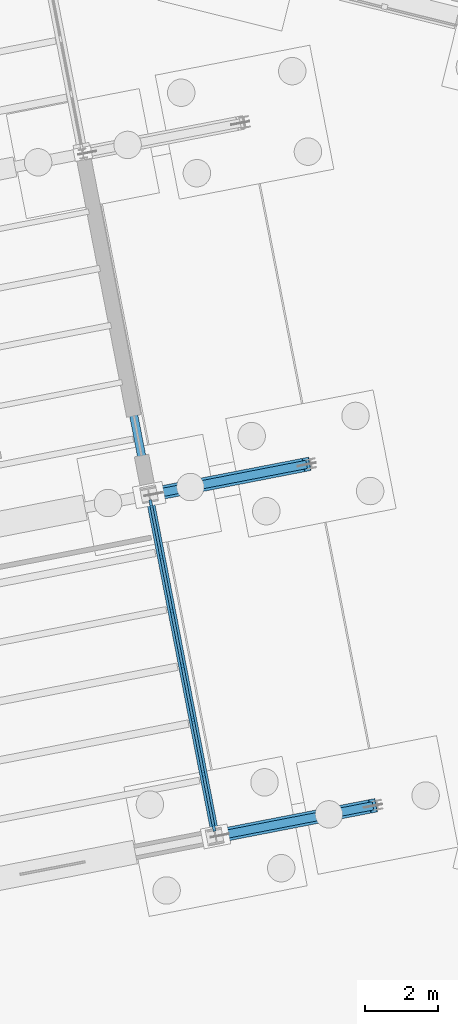
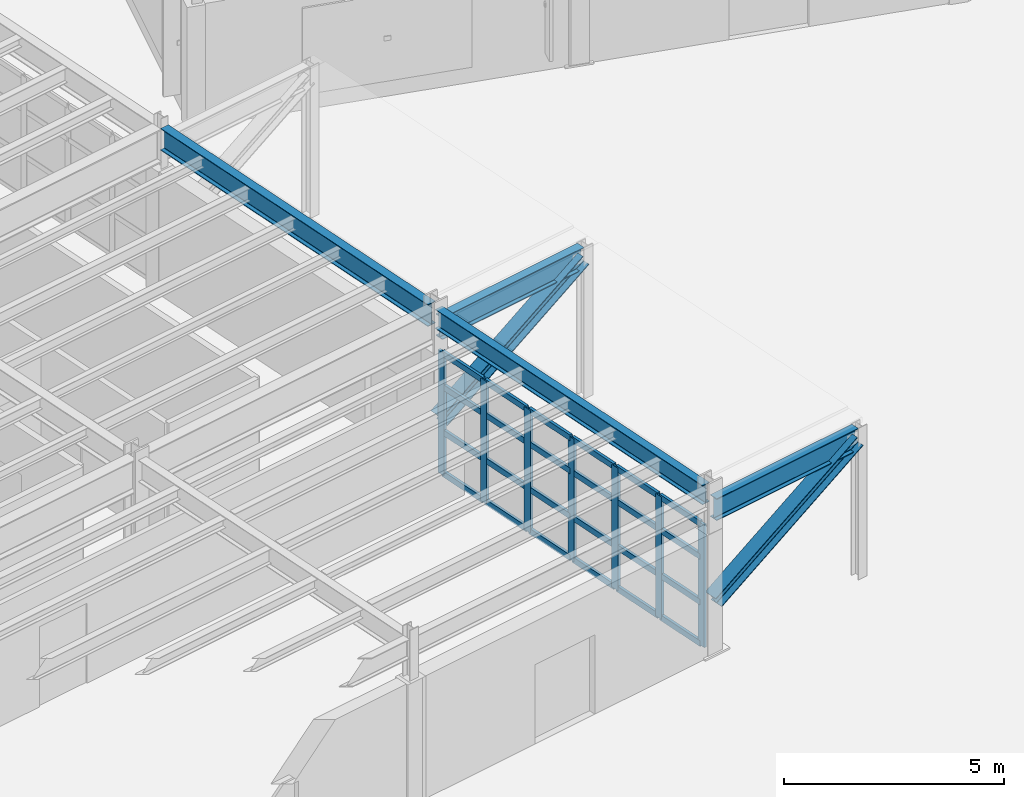
# One storey, part 35 of 108: 33 members, 4 beams, 1 element without a shape of its own.
"""IFC4 building model written with IfcOpenShell, lengths in metres."""

from ifc_helpers import new_model, si_unit, direction, frame, origin, origin_2d, place, context, subcontext, project, spatial, rectangle, i_section, extrude, material, layer, layer_set, material_profile, profile_set, type_object, element, aggregate, save


model = new_model("IFC4")

# Units and contexts
model_context = context("Model", 3, precision=1e-05, world=origin(), true_north=direction((0.0, 1.0)))
body_context = subcontext(model_context, "Body", "Model", "MODEL_VIEW")
ifc_project = project(units=[si_unit("LENGTHUNIT", "METRE"), si_unit("AREAUNIT", "SQUARE_METRE"), si_unit("VOLUMEUNIT", "CUBIC_METRE"), si_unit("PLANEANGLEUNIT", "RADIAN"), si_unit("MASSUNIT", "GRAM", prefix="KILO")], contexts=[model_context])

# Site, building, storey
site_placement = place(None, origin())
site = spatial("IfcSite", under=ifc_project, at=site_placement, CompositionType="ELEMENT")
building_placement = place(site_placement, origin())
building = spatial("IfcBuilding", under=site, at=building_placement, Name="Vireo Bluff Cable Station", CompositionType="ELEMENT")
storey_placement = place(building_placement, origin())
storey = spatial("IfcBuildingStorey", under=building, at=storey_placement, Name="L00", CompositionType="ELEMENT", Elevation=0.0)

# Curtain wall, members
ifc_material_1 = material(Name="Anodized Aluminium 6063-T6", Category="aluminium")
ifc_layer = layer(ifc_material_1, 0.179931640625, Name="Anodized Aluminium 6063-T6")
ifc_layer_set = layer_set([ifc_layer], Name="Anodized Aluminium 6063-T6")
curtain_wall_type = type_object("IfcCurtainWallType", Name="CW-UNIT-1400", PredefinedType="USERDEFINED", material=ifc_layer_set)
curtain_wall_placement = place(storey_placement, origin())
curtain_wall = element("IfcCurtainWall", 1, at=curtain_wall_placement, inside=storey, type_object=curtain_wall_type, Name="V5 L00 east curtain wall CW-117", ObjectType="UNITISED CURTAIN WALL", PredefinedType="USERDEFINED")
ifc_material_profile_1 = material_profile(ifc_material_1, rectangle(XDim=0.074951171875, YDim=0.2099609375, at=origin_2d()), Name="ALU-M-75X210")
ifc_profile_set_1 = profile_set([ifc_material_profile_1], Name="Anodized Aluminium 6063-T6")
member_type_1 = type_object("IfcMemberType", Name="CWM-02", PredefinedType="MULLION", material=ifc_profile_set_1)
member_1_placement = place(storey_placement, frame((51.90625, 23.17724609375, 0.0), z_axis=(0.0, 0.0, 1.0), x_axis=(0.981627187168, 0.190808976239, 0.0)))
member_1 = element("IfcMember", 2, at=member_1_placement, type_object=member_type_1, Name="CW-117 mullion 1", PredefinedType="MULLION", context=body_context, shape_type="SweptSolid", body=[
    extrude(rectangle(XDim=0.074951171875, YDim=0.2099609375, at=origin_2d()), origin(), (0.0, 0.0, 1.0), 3.39990234375),
])
member_2_placement = place(storey_placement, frame((52.18798828125, 21.727294921875, 0.0), z_axis=(0.0, 0.0, 1.0), x_axis=(0.981627187168, 0.190808976239, 0.0)))
member_2 = element("IfcMember", 3, at=member_2_placement, type_object=member_type_1, Name="CW-117 mullion 2", PredefinedType="MULLION", context=body_context, shape_type="SweptSolid", body=[
    extrude(rectangle(XDim=0.074951171875, YDim=0.2099609375, at=origin_2d()), origin(), (0.0, 0.0, 1.0), 3.39990234375),
])
member_3_placement = place(storey_placement, frame((52.47705078125, 20.240478515625, 0.0), z_axis=(0.0, 0.0, 1.0), x_axis=(0.981627187168, 0.190808976239, 0.0)))
member_3 = element("IfcMember", 4, at=member_3_placement, type_object=member_type_1, Name="CW-117 mullion 3", PredefinedType="MULLION", context=body_context, shape_type="SweptSolid", body=[
    extrude(rectangle(XDim=0.074951171875, YDim=0.2099609375, at=origin_2d()), origin(), (0.0, 0.0, 1.0), 3.39990234375),
])
member_4_placement = place(storey_placement, frame((52.76611328125, 18.753662109375, 0.0), z_axis=(0.0, 0.0, 1.0), x_axis=(0.981627187168, 0.190808976239, 0.0)))
member_4 = element("IfcMember", 5, at=member_4_placement, type_object=member_type_1, Name="CW-117 mullion 4", PredefinedType="MULLION", context=body_context, shape_type="SweptSolid", body=[
    extrude(rectangle(XDim=0.074951171875, YDim=0.2099609375, at=origin_2d()), origin(), (0.0, 0.0, 1.0), 3.39990234375),
])
member_5_placement = place(storey_placement, frame((53.054931640625, 17.2666015625, 0.0), z_axis=(0.0, 0.0, 1.0), x_axis=(0.981627187168, 0.190808976239, 0.0)))
member_5 = element("IfcMember", 6, at=member_5_placement, type_object=member_type_1, Name="CW-117 mullion 5", PredefinedType="MULLION", context=body_context, shape_type="SweptSolid", body=[
    extrude(rectangle(XDim=0.074951171875, YDim=0.2099609375, at=origin_2d()), origin(), (0.0, 0.0, 1.0), 3.39990234375),
])
member_6_placement = place(storey_placement, frame((53.343994140625, 15.77978515625, 0.0), z_axis=(0.0, 0.0, 1.0), x_axis=(0.981627187168, 0.190808976239, 0.0)))
member_6 = element("IfcMember", 7, at=member_6_placement, type_object=member_type_1, Name="CW-117 mullion 6", PredefinedType="MULLION", context=body_context, shape_type="SweptSolid", body=[
    extrude(rectangle(XDim=0.074951171875, YDim=0.2099609375, at=origin_2d()), origin(), (0.0, 0.0, 1.0), 3.39990234375),
])
member_7_placement = place(storey_placement, frame((53.6259765625, 14.329833984375, 0.0), z_axis=(0.0, 0.0, 1.0), x_axis=(0.981627187168, 0.190808976239, 0.0)))
member_7 = element("IfcMember", 8, at=member_7_placement, type_object=member_type_1, Name="CW-117 mullion 7", PredefinedType="MULLION", context=body_context, shape_type="SweptSolid", body=[
    extrude(rectangle(XDim=0.074951171875, YDim=0.2099609375, at=origin_2d()), origin(), (0.0, 0.0, 1.0), 3.39990234375),
])
ifc_material_profile_2 = material_profile(ifc_material_1, rectangle(XDim=0.074951171875, YDim=0.159912109375, at=origin_2d()), Name="ALU-T-75X160")
ifc_profile_set_2 = profile_set([ifc_material_profile_2], Name="Anodized Aluminium 6063-T6")
member_type_2 = type_object("IfcMemberType", Name="CWT-02", PredefinedType="USERDEFINED", material=ifc_profile_set_2)
member_8_placement = place(storey_placement, frame((51.913330078125, 23.140380859375, 0.03759765625), z_axis=(0.190823057321, -0.981624449978, 0.0), x_axis=(0.981624449978, 0.190823057321, 0.0)))
member_8 = element("IfcMember", 9, at=member_8_placement, type_object=member_type_2, Name="CW-117 transom 1.1", ObjectType="TRANSOM", PredefinedType="USERDEFINED", context=body_context, shape_type="SweptSolid", body=[
    extrude(rectangle(XDim=0.074951171875, YDim=0.159912109375, at=origin_2d()), origin(), (0.0, 0.0, 1.0), 1.40234375),
])
member_9_placement = place(storey_placement, frame((51.913330078125, 23.140380859375, 1.18994140625), z_axis=(0.190823057321, -0.981624449978, 0.0), x_axis=(0.981624449978, 0.190823057321, 0.0)))
member_9 = element("IfcMember", 10, at=member_9_placement, type_object=member_type_2, Name="CW-117 transom 1.2", ObjectType="TRANSOM", PredefinedType="USERDEFINED", context=body_context, shape_type="SweptSolid", body=[
    extrude(rectangle(XDim=0.074951171875, YDim=0.159912109375, at=origin_2d()), origin(), (0.0, 0.0, 1.0), 1.40234375),
])
member_10_placement = place(storey_placement, frame((51.913330078125, 23.140380859375, 2.447998046875), z_axis=(0.190823057321, -0.981624449978, 0.0), x_axis=(0.981624449978, 0.190823057321, 0.0)))
member_10 = element("IfcMember", 11, at=member_10_placement, type_object=member_type_2, Name="CW-117 transom 1.3", ObjectType="TRANSOM", PredefinedType="USERDEFINED", context=body_context, shape_type="SweptSolid", body=[
    extrude(rectangle(XDim=0.074951171875, YDim=0.159912109375, at=origin_2d()), origin(), (0.0, 0.0, 1.0), 1.40234375),
])
member_11_placement = place(storey_placement, frame((51.913330078125, 23.140380859375, 3.362548828125), z_axis=(0.190823057321, -0.981624449978, 0.0), x_axis=(0.981624449978, 0.190823057321, 0.0)))
member_11 = element("IfcMember", 12, at=member_11_placement, type_object=member_type_2, Name="CW-117 transom 1.4", ObjectType="TRANSOM", PredefinedType="USERDEFINED", context=body_context, shape_type="SweptSolid", body=[
    extrude(rectangle(XDim=0.074951171875, YDim=0.159912109375, at=origin_2d()), origin(), (0.0, 0.0, 1.0), 1.40234375),
])
member_12_placement = place(storey_placement, frame((52.195068359375, 21.6904296875, 0.03759765625), z_axis=(0.19092865934, -0.98160391556, 0.0), x_axis=(0.98160391556, 0.19092865934, 0.0)))
member_12 = element("IfcMember", 13, at=member_12_placement, type_object=member_type_2, Name="CW-117 transom 2.1", ObjectType="TRANSOM", PredefinedType="USERDEFINED", context=body_context, shape_type="SweptSolid", body=[
    extrude(rectangle(XDim=0.074951171875, YDim=0.159912109375, at=origin_2d()), origin(), (0.0, 0.0, 1.0), 1.439697265625),
])
member_13_placement = place(storey_placement, frame((52.195068359375, 21.6904296875, 1.18994140625), z_axis=(0.19092865934, -0.98160391556, 0.0), x_axis=(0.98160391556, 0.19092865934, 0.0)))
member_13 = element("IfcMember", 14, at=member_13_placement, type_object=member_type_2, Name="CW-117 transom 2.2", ObjectType="TRANSOM", PredefinedType="USERDEFINED", context=body_context, shape_type="SweptSolid", body=[
    extrude(rectangle(XDim=0.074951171875, YDim=0.159912109375, at=origin_2d()), origin(), (0.0, 0.0, 1.0), 1.439697265625),
])
member_14_placement = place(storey_placement, frame((52.195068359375, 21.6904296875, 2.447998046875), z_axis=(0.19092865934, -0.98160391556, 0.0), x_axis=(0.98160391556, 0.19092865934, 0.0)))
member_14 = element("IfcMember", 15, at=member_14_placement, type_object=member_type_2, Name="CW-117 transom 2.3", ObjectType="TRANSOM", PredefinedType="USERDEFINED", context=body_context, shape_type="SweptSolid", body=[
    extrude(rectangle(XDim=0.074951171875, YDim=0.159912109375, at=origin_2d()), origin(), (0.0, 0.0, 1.0), 1.439697265625),
])
member_15_placement = place(storey_placement, frame((52.195068359375, 21.6904296875, 3.362548828125), z_axis=(0.19092865934, -0.98160391556, 0.0), x_axis=(0.98160391556, 0.19092865934, 0.0)))
member_15 = element("IfcMember", 16, at=member_15_placement, type_object=member_type_2, Name="CW-117 transom 2.4", ObjectType="TRANSOM", PredefinedType="USERDEFINED", context=body_context, shape_type="SweptSolid", body=[
    extrude(rectangle(XDim=0.074951171875, YDim=0.159912109375, at=origin_2d()), origin(), (0.0, 0.0, 1.0), 1.439697265625),
])
member_16_placement = place(storey_placement, frame((52.484130859375, 20.20361328125, 0.03759765625), z_axis=(0.190765268998, -0.981635681984, 0.0), x_axis=(0.981635681984, 0.190765268998, 0.0)))
member_16 = element("IfcMember", 17, at=member_16_placement, type_object=member_type_2, Name="CW-117 transom 3.1", ObjectType="TRANSOM", PredefinedType="USERDEFINED", context=body_context, shape_type="SweptSolid", body=[
    extrude(rectangle(XDim=0.074951171875, YDim=0.159912109375, at=origin_2d()), origin(), (0.0, 0.0, 1.0), 1.439697265625),
])
member_17_placement = place(storey_placement, frame((52.484130859375, 20.20361328125, 1.18994140625), z_axis=(0.190765268998, -0.981635681984, 0.0), x_axis=(0.981635681984, 0.190765268998, 0.0)))
member_17 = element("IfcMember", 18, at=member_17_placement, type_object=member_type_2, Name="CW-117 transom 3.2", ObjectType="TRANSOM", PredefinedType="USERDEFINED", context=body_context, shape_type="SweptSolid", body=[
    extrude(rectangle(XDim=0.074951171875, YDim=0.159912109375, at=origin_2d()), origin(), (0.0, 0.0, 1.0), 1.439697265625),
])
member_18_placement = place(storey_placement, frame((52.484130859375, 20.20361328125, 2.447998046875), z_axis=(0.190765268998, -0.981635681984, 0.0), x_axis=(0.981635681984, 0.190765268998, 0.0)))
member_18 = element("IfcMember", 19, at=member_18_placement, type_object=member_type_2, Name="CW-117 transom 3.3", ObjectType="TRANSOM", PredefinedType="USERDEFINED", context=body_context, shape_type="SweptSolid", body=[
    extrude(rectangle(XDim=0.074951171875, YDim=0.159912109375, at=origin_2d()), origin(), (0.0, 0.0, 1.0), 1.439697265625),
])
member_19_placement = place(storey_placement, frame((52.484130859375, 20.20361328125, 3.362548828125), z_axis=(0.190765268998, -0.981635681984, 0.0), x_axis=(0.981635681984, 0.190765268998, 0.0)))
member_19 = element("IfcMember", 20, at=member_19_placement, type_object=member_type_2, Name="CW-117 transom 3.4", ObjectType="TRANSOM", PredefinedType="USERDEFINED", context=body_context, shape_type="SweptSolid", body=[
    extrude(rectangle(XDim=0.074951171875, YDim=0.159912109375, at=origin_2d()), origin(), (0.0, 0.0, 1.0), 1.439697265625),
])
member_20_placement = place(storey_placement, frame((52.773193359375, 18.716796875, 0.03759765625), z_axis=(0.190765268998, -0.981635681984, 0.0), x_axis=(0.981635681984, 0.190765268998, 0.0)))
member_20 = element("IfcMember", 21, at=member_20_placement, type_object=member_type_2, Name="CW-117 transom 4.1", ObjectType="TRANSOM", PredefinedType="USERDEFINED", context=body_context, shape_type="SweptSolid", body=[
    extrude(rectangle(XDim=0.074951171875, YDim=0.159912109375, at=origin_2d()), origin(), (0.0, 0.0, 1.0), 1.439697265625),
])
member_21_placement = place(storey_placement, frame((52.773193359375, 18.716796875, 1.18994140625), z_axis=(0.190765268998, -0.981635681984, 0.0), x_axis=(0.981635681984, 0.190765268998, 0.0)))
member_21 = element("IfcMember", 22, at=member_21_placement, type_object=member_type_2, Name="CW-117 transom 4.2", ObjectType="TRANSOM", PredefinedType="USERDEFINED", context=body_context, shape_type="SweptSolid", body=[
    extrude(rectangle(XDim=0.074951171875, YDim=0.159912109375, at=origin_2d()), origin(), (0.0, 0.0, 1.0), 1.439697265625),
])
member_22_placement = place(storey_placement, frame((52.773193359375, 18.716796875, 2.447998046875), z_axis=(0.190765268998, -0.981635681984, 0.0), x_axis=(0.981635681984, 0.190765268998, 0.0)))
member_22 = element("IfcMember", 23, at=member_22_placement, type_object=member_type_2, Name="CW-117 transom 4.3", ObjectType="TRANSOM", PredefinedType="USERDEFINED", context=body_context, shape_type="SweptSolid", body=[
    extrude(rectangle(XDim=0.074951171875, YDim=0.159912109375, at=origin_2d()), origin(), (0.0, 0.0, 1.0), 1.439697265625),
])
member_23_placement = place(storey_placement, frame((52.773193359375, 18.716796875, 3.362548828125), z_axis=(0.190765268998, -0.981635681984, 0.0), x_axis=(0.981635681984, 0.190765268998, 0.0)))
member_23 = element("IfcMember", 24, at=member_23_placement, type_object=member_type_2, Name="CW-117 transom 4.4", ObjectType="TRANSOM", PredefinedType="USERDEFINED", context=body_context, shape_type="SweptSolid", body=[
    extrude(rectangle(XDim=0.074951171875, YDim=0.159912109375, at=origin_2d()), origin(), (0.0, 0.0, 1.0), 1.439697265625),
])
member_24_placement = place(storey_placement, frame((53.062255859375, 17.22998046875, 0.03759765625), z_axis=(0.190765268998, -0.981635681984, 0.0), x_axis=(0.981635681984, 0.190765268998, 0.0)))
member_24 = element("IfcMember", 25, at=member_24_placement, type_object=member_type_2, Name="CW-117 transom 5.1", ObjectType="TRANSOM", PredefinedType="USERDEFINED", context=body_context, shape_type="SweptSolid", body=[
    extrude(rectangle(XDim=0.074951171875, YDim=0.159912109375, at=origin_2d()), origin(), (0.0, 0.0, 1.0), 1.439697265625),
])
member_25_placement = place(storey_placement, frame((53.062255859375, 17.22998046875, 1.18994140625), z_axis=(0.190765268998, -0.981635681984, 0.0), x_axis=(0.981635681984, 0.190765268998, 0.0)))
member_25 = element("IfcMember", 26, at=member_25_placement, type_object=member_type_2, Name="CW-117 transom 5.2", ObjectType="TRANSOM", PredefinedType="USERDEFINED", context=body_context, shape_type="SweptSolid", body=[
    extrude(rectangle(XDim=0.074951171875, YDim=0.159912109375, at=origin_2d()), origin(), (0.0, 0.0, 1.0), 1.439697265625),
])
member_26_placement = place(storey_placement, frame((53.062255859375, 17.22998046875, 2.447998046875), z_axis=(0.190765268998, -0.981635681984, 0.0), x_axis=(0.981635681984, 0.190765268998, 0.0)))
member_26 = element("IfcMember", 27, at=member_26_placement, type_object=member_type_2, Name="CW-117 transom 5.3", ObjectType="TRANSOM", PredefinedType="USERDEFINED", context=body_context, shape_type="SweptSolid", body=[
    extrude(rectangle(XDim=0.074951171875, YDim=0.159912109375, at=origin_2d()), origin(), (0.0, 0.0, 1.0), 1.439697265625),
])
member_27_placement = place(storey_placement, frame((53.062255859375, 17.22998046875, 3.362548828125), z_axis=(0.190765268998, -0.981635681984, 0.0), x_axis=(0.981635681984, 0.190765268998, 0.0)))
member_27 = element("IfcMember", 28, at=member_27_placement, type_object=member_type_2, Name="CW-117 transom 5.4", ObjectType="TRANSOM", PredefinedType="USERDEFINED", context=body_context, shape_type="SweptSolid", body=[
    extrude(rectangle(XDim=0.074951171875, YDim=0.159912109375, at=origin_2d()), origin(), (0.0, 0.0, 1.0), 1.439697265625),
])
member_28_placement = place(storey_placement, frame((53.351318359375, 15.7431640625, 0.03759765625), z_axis=(0.190655280227, -0.981657050156, 0.0), x_axis=(0.981657050156, 0.190655280227, 0.0)))
member_28 = element("IfcMember", 29, at=member_28_placement, type_object=member_type_2, Name="CW-117 transom 6.1", ObjectType="TRANSOM", PredefinedType="USERDEFINED", context=body_context, shape_type="SweptSolid", body=[
    extrude(rectangle(XDim=0.074951171875, YDim=0.159912109375, at=origin_2d()), origin(), (0.0, 0.0, 1.0), 1.402099609375),
])
member_29_placement = place(storey_placement, frame((53.351318359375, 15.7431640625, 1.18994140625), z_axis=(0.190655280227, -0.981657050156, 0.0), x_axis=(0.981657050156, 0.190655280227, 0.0)))
member_29 = element("IfcMember", 30, at=member_29_placement, type_object=member_type_2, Name="CW-117 transom 6.2", ObjectType="TRANSOM", PredefinedType="USERDEFINED", context=body_context, shape_type="SweptSolid", body=[
    extrude(rectangle(XDim=0.074951171875, YDim=0.159912109375, at=origin_2d()), origin(), (0.0, 0.0, 1.0), 1.402099609375),
])
member_30_placement = place(storey_placement, frame((53.351318359375, 15.7431640625, 2.447998046875), z_axis=(0.190655280227, -0.981657050156, 0.0), x_axis=(0.981657050156, 0.190655280227, 0.0)))
member_30 = element("IfcMember", 31, at=member_30_placement, type_object=member_type_2, Name="CW-117 transom 6.3", ObjectType="TRANSOM", PredefinedType="USERDEFINED", context=body_context, shape_type="SweptSolid", body=[
    extrude(rectangle(XDim=0.074951171875, YDim=0.159912109375, at=origin_2d()), origin(), (0.0, 0.0, 1.0), 1.402099609375),
])
member_31_placement = place(storey_placement, frame((53.351318359375, 15.7431640625, 3.362548828125), z_axis=(0.190655280227, -0.981657050156, 0.0), x_axis=(0.981657050156, 0.190655280227, 0.0)))
member_31 = element("IfcMember", 32, at=member_31_placement, type_object=member_type_2, Name="CW-117 transom 6.4", ObjectType="TRANSOM", PredefinedType="USERDEFINED", context=body_context, shape_type="SweptSolid", body=[
    extrude(rectangle(XDim=0.074951171875, YDim=0.159912109375, at=origin_2d()), origin(), (0.0, 0.0, 1.0), 1.402099609375),
])
aggregate(curtain_wall, [member_1, member_2, member_3, member_4, member_5, member_6, member_7, member_8, member_9, member_10, member_11, member_12, member_13, member_14, member_15, member_16, member_17, member_18, member_19, member_20, member_21, member_22, member_23, member_24, member_25, member_26, member_27, member_28, member_29, member_30, member_31])

# Beams
ifc_material_2 = material(Name="Steel ASTM A992 Gr. 50", Category="steel")
ifc_material_profile_3 = material_profile(ifc_material_2, i_section(OverallWidth=0.2099609375, OverallDepth=0.535888671875, WebThickness=0.010986328125, FlangeThickness=0.017333984375, FilletRadius=0.012939453125, at=origin_2d()), Name="W21X68")
ifc_profile_set_3 = profile_set([ifc_material_profile_3], Name="Steel ASTM A992 Gr. 50")
beam_type_1 = type_object("IfcBeamType", Name="SPN-W21X68", PredefinedType="SPANDREL", material=ifc_profile_set_3)
beam_1_placement = place(storey_placement, frame((53.650390625, 14.2041015625, 4.27197265625), z_axis=(-0.190799797627, 0.981628971264, 0.0), x_axis=(-0.981628971264, -0.190799797627, 0.0)))
element("IfcBeam", 33, at=beam_1_placement, inside=storey, type_object=beam_type_1, Name="V5 L00 spandrel 1177", PredefinedType="SPANDREL", context=body_context, shape_type="SweptSolid", body=[
    extrude(i_section(OverallWidth=0.2099609375, OverallDepth=0.535888671875, WebThickness=0.010986328125, FlangeThickness=0.017333984375, FilletRadius=0.012939453125, at=origin_2d()), origin(), (0.0, 0.0, 1.0), 9.26025390625),
])
ifc_material_profile_4 = material_profile(ifc_material_2, i_section(OverallWidth=0.22802734375, OverallDepth=0.60693359375, WebThickness=0.01123046875, FlangeThickness=0.017333984375, FilletRadius=0.012939453125, at=origin_2d()), Name="W24X76")
ifc_profile_set_4 = profile_set([ifc_material_profile_4], Name="Steel ASTM A992 Gr. 50")
beam_type_2 = type_object("IfcBeamType", Name="SPN-W24X76", PredefinedType="SPANDREL", material=ifc_profile_set_4)
beam_2_placement = place(storey_placement, frame((51.837646484375, 23.529541015625, 4.236572265625), z_axis=(-0.190799797627, 0.981628971264, 0.0), x_axis=(-0.981628971264, -0.190799797627, 0.0)))
element("IfcBeam", 34, at=beam_2_placement, inside=storey, type_object=beam_type_2, Name="V5 L00 spandrel 1178", PredefinedType="SPANDREL", context=body_context, shape_type="SweptSolid", body=[
    extrude(i_section(OverallWidth=0.22802734375, OverallDepth=0.60693359375, WebThickness=0.01123046875, FlangeThickness=0.017333984375, FilletRadius=0.012939453125, at=origin_2d()), origin(), (0.0, 0.0, 1.0), 9.26025390625),
])
for number, where, z_axis, x_axis, name in (
    (35, (53.791015625, 14.109375, 3.889892578125), (0.981630896744, 0.190789891129, 0.0), (-0.190789891129, 0.981630896744, 0.0), "Plaza canopy beam 1"),
    (36, (51.978271484375, 23.434814453125, 3.889892578125), (0.981632982751, 0.190779158128, 0.0), (-0.190779158128, 0.981632982751, 0.0), "Plaza canopy beam 2"),
):
    element("IfcBeam", number, at=place(storey_placement, frame(where, z_axis=z_axis, x_axis=x_axis)), inside=storey, type_object=beam_type_2, Name=name, PredefinedType="SPANDREL", context=body_context, shape_type="SweptSolid", body=[
        extrude(i_section(OverallWidth=0.22802734375, OverallDepth=0.60693359375, WebThickness=0.01123046875, FlangeThickness=0.017333984375, FilletRadius=0.012939453125, at=origin_2d()), origin(), (0.0, 0.0, 1.0), 4.260009765625),
    ])

# Members
ifc_material_profile_5 = material_profile(ifc_material_2, i_section(OverallWidth=0.3701171875, OverallDepth=0.360107421875, WebThickness=0.01220703125, FlangeThickness=0.019775390625, FilletRadius=0.014892578125, at=origin_2d()), Name="W14X99")
ifc_profile_set_5 = profile_set([ifc_material_profile_5], Name="Steel ASTM A992 Gr. 50")
member_type_3 = type_object("IfcMemberType", Name="STR-02", PredefinedType="STRUT", material=ifc_profile_set_5)
member_32_placement = place(storey_placement, frame((53.791015625, 14.109375, 1.35009765625), z_axis=(0.844867783959, 0.164208597198, 0.50915023739), x_axis=(-0.190789891129, 0.981630896744, 0.0)))
element("IfcMember", 37, at=member_32_placement, inside=storey, type_object=member_type_3, Name="Plaza canopy raking strut 1", PredefinedType="STRUT", context=body_context, shape_type="SweptSolid", body=[
    extrude(i_section(OverallWidth=0.3701171875, OverallDepth=0.360107421875, WebThickness=0.01220703125, FlangeThickness=0.019775390625, FilletRadius=0.014892578125, at=origin_2d()), origin(), (0.0, 0.0, 1.0), 4.949462890625),
])
ifc_material_profile_6 = material_profile(ifc_material_2, i_section(OverallWidth=0.37109375, OverallDepth=0.363037109375, WebThickness=0.01318359375, FlangeThickness=0.021728515625, FilletRadius=0.014892578125, at=origin_2d()), Name="W14X109")
ifc_profile_set_6 = profile_set([ifc_material_profile_6], Name="Steel ASTM A992 Gr. 50")
member_type_4 = type_object("IfcMemberType", Name="STR-03", PredefinedType="STRUT", material=ifc_profile_set_6)
member_33_placement = place(storey_placement, frame((51.978271484375, 23.434814453125, 1.35009765625), z_axis=(0.844881900302, 0.164201754107, 0.509129019494), x_axis=(-0.190779158128, 0.981632982751, 0.0)))
element("IfcMember", 38, at=member_33_placement, inside=storey, type_object=member_type_4, Name="Plaza canopy raking strut 2", PredefinedType="STRUT", context=body_context, shape_type="SweptSolid", body=[
    extrude(i_section(OverallWidth=0.37109375, OverallDepth=0.363037109375, WebThickness=0.01318359375, FlangeThickness=0.021728515625, FilletRadius=0.014892578125, at=origin_2d()), origin(), (0.0, 0.0, 1.0), 4.94970703125),
])

save(model, "model.ifc")
